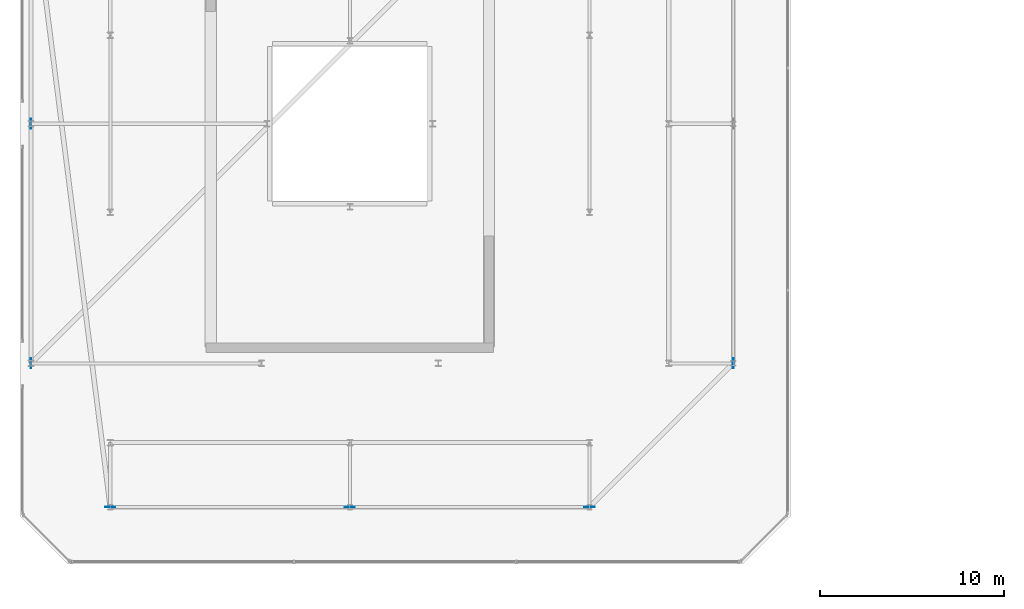
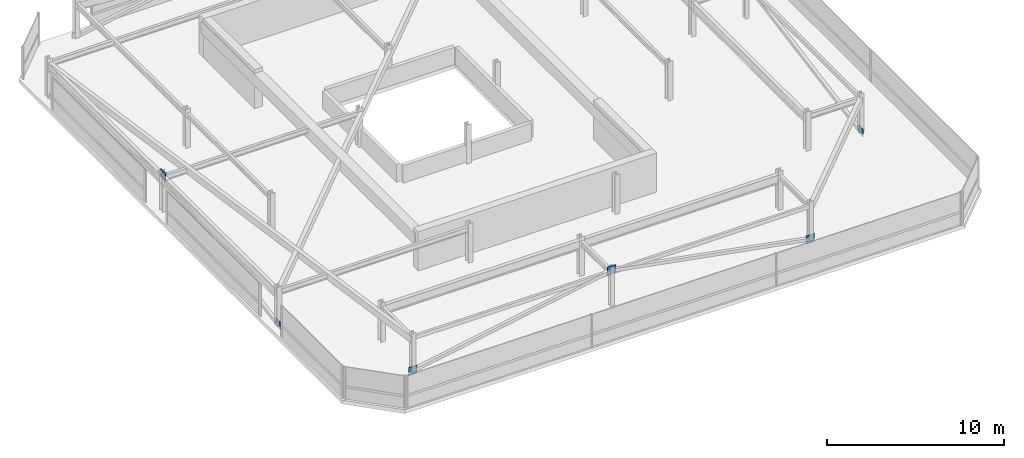
# One storey, part 40 of 44: 6 plates.
"""IFC4 building model written with IfcOpenShell, lengths in metres."""

from ifc_helpers import new_model, si_unit, direction, frame, origin, origin_2d, place, context, subcontext, project, spatial, rectangle, extrude, material, layer, layer_set, type_object, element, save


model = new_model("IFC4")

# Units and contexts
model_context = context("Model", 3, precision=1e-05, world=origin(), true_north=direction((0.0, 1.0)))
body_context = subcontext(model_context, "Body", "Model", "MODEL_VIEW")
ifc_project = project(units=[si_unit("LENGTHUNIT", "METRE"), si_unit("AREAUNIT", "SQUARE_METRE"), si_unit("VOLUMEUNIT", "CUBIC_METRE"), si_unit("PLANEANGLEUNIT", "RADIAN"), si_unit("MASSUNIT", "GRAM", prefix="KILO")], contexts=[model_context])

# Site, building, storey
site_placement = place(None, origin())
site = spatial("IfcSite", under=ifc_project, at=site_placement, CompositionType="ELEMENT")
building_placement = place(site_placement, origin())
building = spatial("IfcBuilding", under=site, at=building_placement, Name="Thornwick Lancets Civic Towers", CompositionType="ELEMENT")
storey_placement = place(building_placement, frame((0.0, 0.0, 292.199951171875)))
storey = spatial("IfcBuildingStorey", under=building, at=storey_placement, Name="C05", CompositionType="ELEMENT", Elevation=292.199951171875)

# Plates
ifc_material = material(Name="Steel S460M", Category="steel")
ifc_layer = layer(ifc_material, 0.0400390625, Name="Steel S460M")
ifc_layer_set = layer_set([ifc_layer], Name="Steel S460M")
plate_type = type_object("IfcPlateType", Name="PLT_GUSSET_40", PredefinedType="USERDEFINED", material=ifc_layer_set)
for number, where, z_axis, x_axis, name in (
    (1, (12.5, 6.199951171875, -0.22509765625), (0.0, 0.0, 1.0), (1.0, 0.0, 0.0), "C05 Brace Connection Gusset Plate 0533"),
    (2, (25.5, 6.199951171875, 2.1650390625), (0.0, 0.0, 1.0), (1.0, 0.0, 0.0), "C05 Brace Connection Gusset Plate 0534"),
    (3, (38.5, 6.199951171875, -0.22509765625), (0.0, 0.0, 1.0), (-1.0, 0.0, 0.0), "C05 Brace Connection Gusset Plate 0535"),
    (4, (46.300048828125, 14.0, -0.22509765625), (0.0, 0.0, 1.0), (0.0, 1.0, 0.0), "C05 Brace Connection Gusset Plate 0536"),
    (5, (8.199951171875, 14.0, -0.22509765625), (0.0, 0.0, 1.0), (0.0, 1.0, 0.0), "C05 Brace Connection Gusset Plate 0542"),
    (6, (8.199951171875, 27.0, 2.1650390625), (0.0, 0.0, 1.0), (0.0, 1.0, 0.0), "C05 Brace Connection Gusset Plate 0543"),
):
    element("IfcPlate", number, at=place(storey_placement, frame(where, z_axis=z_axis, x_axis=x_axis)), inside=storey, type_object=plate_type, Name=name, ObjectType="GUSSET_PLATE", PredefinedType="USERDEFINED", context=body_context, shape_type="SweptSolid", body=[
        extrude(rectangle(XDim=0.550048828125, YDim=0.0400390625, at=origin_2d()), origin(), (0.0, 0.0, 1.0), 0.550048828125),
    ])

save(model, "model.ifc")
